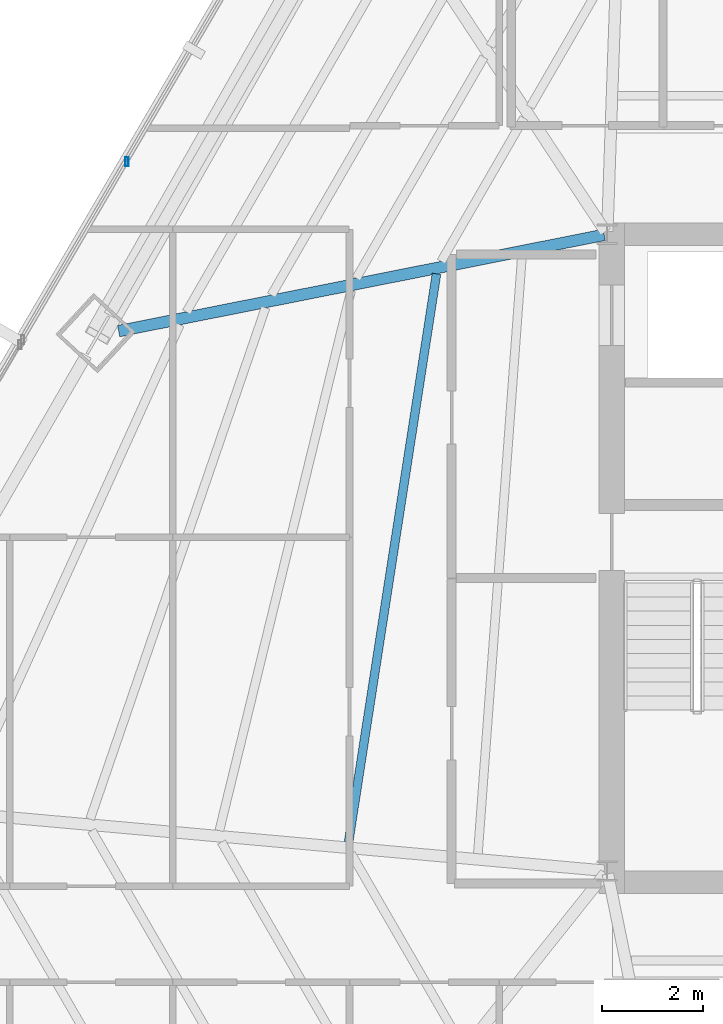
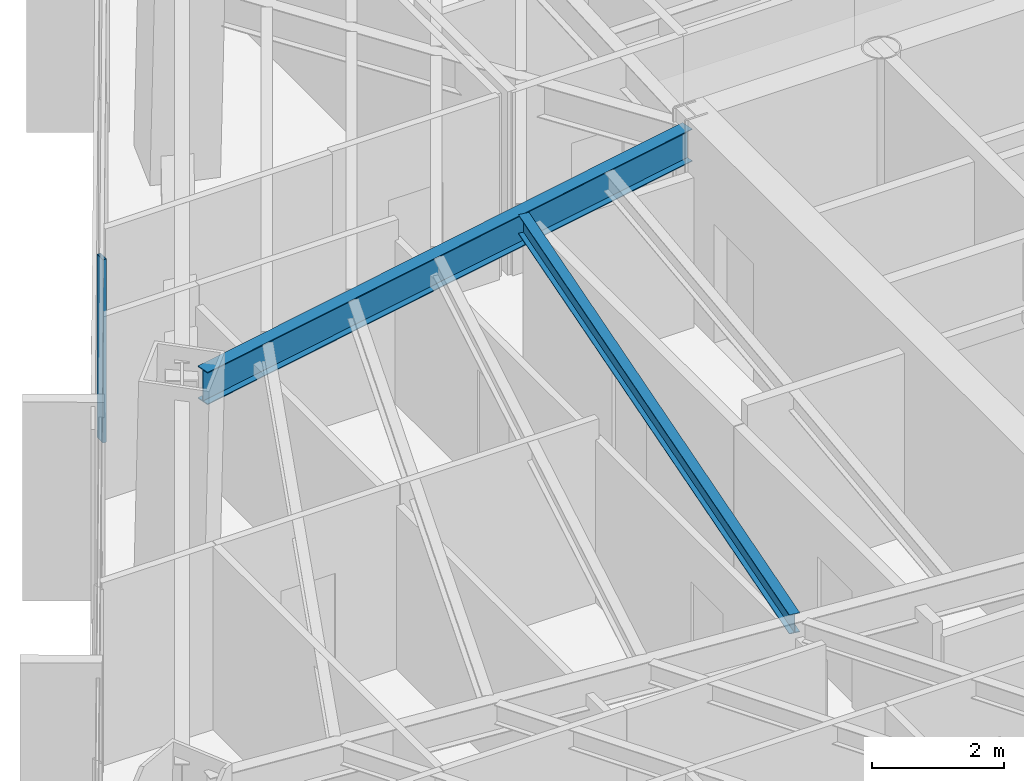
# One storey, part 11 of 35: 2 beams, 1 member, 1 element without a shape of its own.
"""IFC4 building model written with IfcOpenShell, lengths in metres."""

from ifc_helpers import new_model, si_unit, direction, frame, origin, origin_2d, place, context, subcontext, project, spatial, hollow_rectangle, i_section, extrude, source, transform, mapped, material, material_profile, profile_set, type_object, type_shapes, element, aggregate, save


model = new_model("IFC4")

# Units and contexts
model_context = context("Model", 3, precision=1e-05, world=origin(), true_north=direction((0.0, 1.0)))
body_context = subcontext(model_context, "Body", "Model", "MODEL_VIEW")
ifc_project = project(units=[si_unit("LENGTHUNIT", "METRE"), si_unit("AREAUNIT", "SQUARE_METRE"), si_unit("VOLUMEUNIT", "CUBIC_METRE"), si_unit("PLANEANGLEUNIT", "RADIAN"), si_unit("MASSUNIT", "GRAM", prefix="KILO")], contexts=[model_context])

# Site, building, storey
site_placement = place(None, origin())
site = spatial("IfcSite", under=ifc_project, at=site_placement, CompositionType="ELEMENT")
building_placement = place(site_placement, origin())
building = spatial("IfcBuilding", under=site, at=building_placement, Name="Caelisora Broadcast Tower", CompositionType="ELEMENT")
storey_placement = place(building_placement, frame((0.0, 0.0, 123.64990234375)))
storey = spatial("IfcBuildingStorey", under=building, at=storey_placement, Name="L32", CompositionType="ELEMENT", Elevation=123.64990234375)

# Beams
ifc_material_1 = material(Name="Steel Grade 350 (AS/NZS 3679.1)", Category="steel")
ifc_material_profile_1 = material_profile(ifc_material_1, i_section(OverallWidth=0.22802734375, OverallDepth=0.602294921875, WebThickness=0.010498046875, FlangeThickness=0.014892578125, at=origin_2d()), Name="Steel Grade 350 (AS/NZS 3679.1)")
ifc_profile_set_1 = profile_set([ifc_material_profile_1], Name="Steel Grade 350 (AS/NZS 3679.1)")
beam_type_1 = type_object("IfcBeamType", Name="PG04", PredefinedType="BEAM", material=ifc_profile_set_1)
shared_shape_1 = source(origin(), body_context, "Body", "SweptSolid", [
    extrude(i_section(OverallWidth=0.22802734375, OverallDepth=0.602294921875, WebThickness=0.010498046875, FlangeThickness=0.014892578125, at=origin_2d()), origin(), (0.0, 0.0, 1.0), 9.796142578125),
])
type_shapes(beam_type_1, [shared_shape_1])
beam_1_placement = place(storey_placement, frame((30.441162109375, 29.98828125, 3.098876953125), z_axis=(-0.980899519174, -0.194515123534, 0.0), x_axis=(0.194515123534, -0.980899519174, 0.0)))
element("IfcBeam", 1, at=beam_1_placement, inside=storey, type_object=beam_type_1, Name="L32 beam PG04", PredefinedType="BEAM", context=body_context, shape_type="MappedRepresentation", body=[
    mapped(shared_shape_1, transform((0.0, 0.0, 0.0), scale=1.0)),
])
ifc_material_profile_2 = material_profile(ifc_material_1, i_section(OverallWidth=0.172119140625, OverallDepth=0.358642578125, WebThickness=0.008056640625, FlangeThickness=0.012939453125, at=origin_2d()), Name="Steel Grade 350 (AS/NZS 3679.1)")
ifc_profile_set_2 = profile_set([ifc_material_profile_2], Name="Steel Grade 350 (AS/NZS 3679.1)")
beam_type_2 = type_object("IfcBeamType", Name="SB02", PredefinedType="JOIST", material=ifc_profile_set_2)
shared_shape_2 = source(origin(), body_context, "Body", "SweptSolid", [
    extrude(i_section(OverallWidth=0.172119140625, OverallDepth=0.358642578125, WebThickness=0.008056640625, FlangeThickness=0.012939453125, at=origin_2d()), origin(), (0.0, 0.0, 1.0), 11.381591796875),
])
type_shapes(beam_type_2, [shared_shape_2])
beam_2_placement = place(storey_placement, frame((27.121826171875, 29.216796875, 3.220703125), z_axis=(-0.152856632532, -0.988248374596, 0.0), x_axis=(0.988248374596, -0.152856632532, 0.0)))
element("IfcBeam", 2, at=beam_2_placement, inside=storey, type_object=beam_type_2, Name="L32 beam SB02", PredefinedType="JOIST", context=body_context, shape_type="MappedRepresentation", body=[
    mapped(shared_shape_2, transform((0.0, 0.0, 0.0), scale=1.0)),
])

# Curtain wall, member
ifc_material_2 = material(Name="Unitised Aluminium Insulated Shadow-Box Spandrel Curtain Wall", Category="aluminium")
curtain_wall_type = type_object("IfcCurtainWallType", Name="CW-SP1", PredefinedType="NOTDEFINED", material=ifc_material_2)
curtain_wall_placement = place(storey_placement, origin())
curtain_wall = element("IfcCurtainWall", 3, at=curtain_wall_placement, inside=storey, type_object=curtain_wall_type, Name="L32 curtain wall CW-SP1", PredefinedType="NOTDEFINED")
ifc_material_3 = material(Name="Aluminium 6063-T6 Anodised Terracotta Bronze", Category="aluminium")
ifc_material_profile_3 = material_profile(ifc_material_3, hollow_rectangle(XDim=0.06494140625, YDim=0.179931640625, WallThickness=0.00341796875, at=origin_2d()), Name="Aluminium 6063-T6 Anodised Terracotta Bronze")
ifc_profile_set_3 = profile_set([ifc_material_profile_3], Name="Aluminium 6063-T6 Anodised Terracotta Bronze")
member_type = type_object("IfcMemberType", Name="CWM-02", PredefinedType="MULLION", material=ifc_profile_set_3)
shared_shape_3 = source(origin(), body_context, "Body", "SweptSolid", [
    extrude(hollow_rectangle(XDim=0.06494140625, YDim=0.179931640625, WallThickness=0.00341796875, at=origin_2d()), origin(), (0.0, 0.0, 1.0), 3.400146484375),
])
type_shapes(member_type, [shared_shape_3])
member_placement = place(storey_placement, frame((20.996826171875, 31.435791015625, 0.0), z_axis=(0.0, 0.0, 1.0), x_axis=(1.0, 0.0, 0.0)))
member = element("IfcMember", 4, at=member_placement, type_object=member_type, Name="L32-CW-B10 mullion #1", PredefinedType="MULLION", context=body_context, shape_type="MappedRepresentation", body=[
    mapped(shared_shape_3, transform((0.0, 0.0, 0.0), scale=1.0)),
])
aggregate(curtain_wall, [member])

save(model, "model.ifc")
